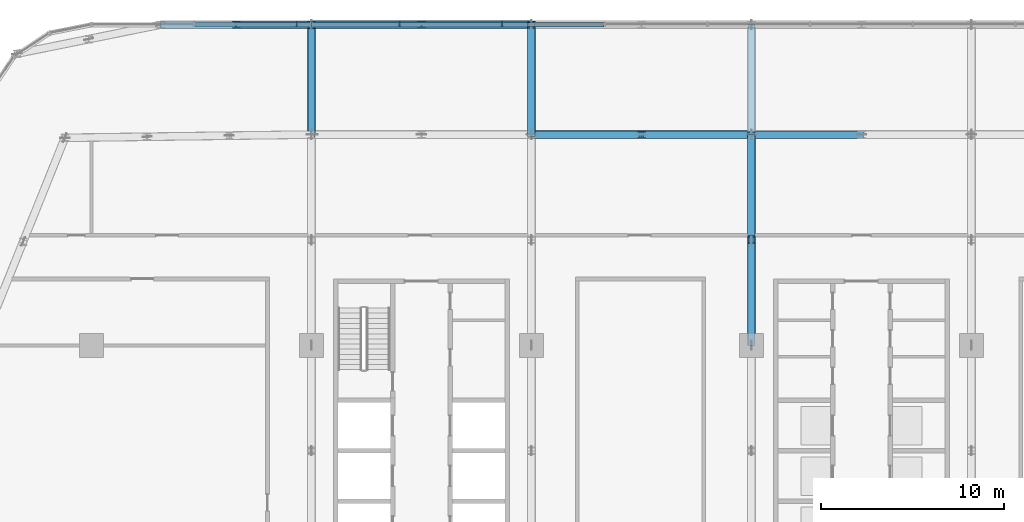
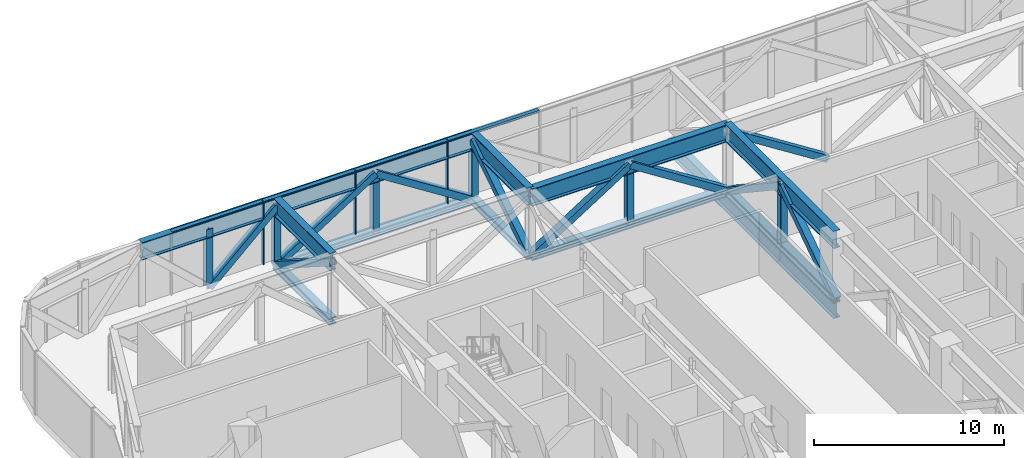
# One storey, part 8 of 30: 34 members, 2 beams, 1 element without a shape of its own.
"""IFC4 building model written with IfcOpenShell, lengths in metres."""

from ifc_helpers import new_model, si_unit, direction, frame, origin, origin_2d, place, context, subcontext, project, spatial, rectangle, hollow_rectangle, i_section, extrude, material, material_profile, profile_set, type_object, element, aggregate, save


model = new_model("IFC4")

# Units and contexts
model_context = context("Model", 3, precision=1e-05, world=origin(), true_north=direction((0.0, 1.0)))
body_context = subcontext(model_context, "Body", "Model", "MODEL_VIEW")
ifc_project = project(units=[si_unit("LENGTHUNIT", "METRE"), si_unit("AREAUNIT", "SQUARE_METRE"), si_unit("VOLUMEUNIT", "CUBIC_METRE"), si_unit("PLANEANGLEUNIT", "RADIAN"), si_unit("MASSUNIT", "GRAM", prefix="KILO")], contexts=[model_context])

# Site, building, storey
site_placement = place(None, origin())
site = spatial("IfcSite", under=ifc_project, at=site_placement, CompositionType="ELEMENT")
building_placement = place(site_placement, origin())
building = spatial("IfcBuilding", under=site, at=building_placement, Name="Mahtab Terrace Research Tower", CompositionType="ELEMENT")
storey_placement = place(building_placement, frame((0.0, 0.0, 154.800048828125)))
storey = spatial("IfcBuildingStorey", under=building, at=storey_placement, Name="L36", CompositionType="ELEMENT", Elevation=154.800048828125)

# Members
ifc_material_1 = material(Name="Steel ASTM A500 Gr C", Category="steel")
ifc_material_profile_1 = material_profile(ifc_material_1, hollow_rectangle(XDim=0.406494140625, YDim=0.406494140625, WallThickness=0.015869140625, at=origin_2d()), Name="HSS16X16X5/8")
ifc_profile_set_1 = profile_set([ifc_material_profile_1], Name="Steel ASTM A500 Gr C")
member_type_1 = type_object("IfcMemberType", Name="HSS 16x16x5/8 brace TD161658", PredefinedType="BRACE", material=ifc_profile_set_1)
member_1_placement = place(storey_placement, frame((-34.114990234375, 29.0, -0.317626953125), z_axis=(0.732990169722, 0.0, 0.680239230779), x_axis=(0.0, 1.0, 0.0)))
element("IfcMember", 1, at=member_1_placement, inside=storey, type_object=member_type_1, Name="Transfer truss T4 diagonal 021", PredefinedType="BRACE", context=body_context, shape_type="SweptSolid", body=[
    extrude(hollow_rectangle(XDim=0.406494140625, YDim=0.406494140625, WallThickness=0.015869140625, at=origin_2d()), origin(), (0.0, 0.0, 1.0), 5.614013671875),
])
for number, where, z_axis, x_axis, name in (
    (2, (-30.0, 29.0, -0.317626953125), (0.0, -0.843619081223, 0.536942125183), (1.0, 0.0, 0.0), "Transfer truss T4 diagonal 032"),
    (3, (-30.0, 29.0, -0.317626953125), (0.843619081223, 0.0, 0.536942125183), (0.0, 1.0, 0.0), "Transfer truss T4 diagonal 033"),
    (4, (-18.0, 29.0, -0.317626953125), (-0.843619081223, 0.0, 0.536942125183), (0.0, -1.0, 0.0), "Transfer truss T4 diagonal 036"),
    (5, (-18.0, 23.0, -0.317626953125), (0.0, 0.843619081223, 0.536942125183), (-1.0, 0.0, 0.0), "Transfer truss T4 diagonal 047"),
    (6, (-18.0, 23.0, -0.317626953125), (0.843619081223, 0.0, 0.536942125183), (0.0, 1.0, 0.0), "Transfer truss T4 diagonal 050"),
):
    element("IfcMember", number, at=place(storey_placement, frame(where, z_axis=z_axis, x_axis=x_axis)), inside=storey, type_object=member_type_1, Name=name, PredefinedType="BRACE", context=body_context, shape_type="SweptSolid", body=[
        extrude(hollow_rectangle(XDim=0.406494140625, YDim=0.406494140625, WallThickness=0.015869140625, at=origin_2d()), origin(), (0.0, 0.0, 1.0), 7.1123046875),
    ])
for number, where, z_axis, x_axis, name in (
    (7, (-6.0, 11.5, -0.317626953125), (0.0, 0.833017600398, 0.553246488852), (-1.0, 0.0, 0.0), "Transfer truss T4 diagonal 059"),
    (8, (-6.0, 23.0, -0.317626953125), (0.0, -0.833017600398, 0.553246488852), (1.0, 0.0, 0.0), "Transfer truss T4 diagonal 060"),
):
    element("IfcMember", number, at=place(storey_placement, frame(where, z_axis=z_axis, x_axis=x_axis)), inside=storey, type_object=member_type_1, Name=name, PredefinedType="BRACE", context=body_context, shape_type="SweptSolid", body=[
        extrude(hollow_rectangle(XDim=0.406494140625, YDim=0.406494140625, WallThickness=0.015869140625, at=origin_2d()), origin(), (0.0, 0.0, 1.0), 6.902587890625),
    ])
for number, where, z_axis, x_axis, name in (
    (9, (-6.0, 23.0, -0.317626953125), (-0.843619081223, 0.0, 0.536942125183), (0.0, -1.0, 0.0), "Transfer truss T4 diagonal 061"),
    (10, (0.0, 23.0, -0.317626953125), (-0.843619081223, 0.0, 0.536942125183), (0.0, -1.0, 0.0), "Transfer truss T4 diagonal 065"),
):
    element("IfcMember", number, at=place(storey_placement, frame(where, z_axis=z_axis, x_axis=x_axis)), inside=storey, type_object=member_type_1, Name=name, PredefinedType="BRACE", context=body_context, shape_type="SweptSolid", body=[
        extrude(hollow_rectangle(XDim=0.406494140625, YDim=0.406494140625, WallThickness=0.015869140625, at=origin_2d()), origin(), (0.0, 0.0, 1.0), 7.1123046875),
    ])

# Curtain wall, members
ifc_material_2 = material(Name="Sky lounge full-height curtain wall")
curtain_wall_type = type_object("IfcCurtainWallType", Name="Sky lounge full-height curtain wall", PredefinedType="NOTDEFINED", material=ifc_material_2)
curtain_wall_placement = place(storey_placement, origin())
curtain_wall = element("IfcCurtainWall", 11, at=curtain_wall_placement, inside=storey, type_object=curtain_wall_type, Name="EN.L36.5.0", PredefinedType="NOTDEFINED")
ifc_material_3 = material(Name="Natural anodised aluminium", Category="aluminium")
ifc_material_profile_2 = material_profile(ifc_material_3, rectangle(XDim=0.25, YDim=0.070068359375, at=origin_2d()), Name="MULLION 70x250")
ifc_profile_set_2 = profile_set([ifc_material_profile_2], Name="Natural anodised aluminium")
member_type_2 = type_object("IfcMemberType", Name="Sky lounge full-height curtain wall mullion", PredefinedType="MULLION", material=ifc_profile_set_2)
member_2_placement = place(storey_placement, frame((-19.60009765625, 29.0, 0.0), z_axis=(0.0, 0.0, 1.0), x_axis=(0.0, -1.0, 0.0)))
member_2 = element("IfcMember", 12, at=member_2_placement, type_object=member_type_2, Name="CWS-T4 mullion 12", PredefinedType="MULLION", context=body_context, shape_type="SweptSolid", body=[
    extrude(rectangle(XDim=0.25, YDim=0.070068359375, at=origin_2d()), origin(), (0.0, 0.0, 1.0), 4.06005859375),
])
member_3_placement = place(storey_placement, frame((-25.199951171875, 29.0, 0.0), z_axis=(0.0, 0.0, 1.0), x_axis=(0.0, -1.0, 0.0)))
member_3 = element("IfcMember", 13, at=member_3_placement, type_object=member_type_2, Name="CWS-T4 mullion 13", PredefinedType="MULLION", context=body_context, shape_type="SweptSolid", body=[
    extrude(rectangle(XDim=0.25, YDim=0.070068359375, at=origin_2d()), origin(), (0.0, 0.0, 1.0), 4.06005859375),
])
member_4_placement = place(storey_placement, frame((-30.800048828125, 29.0, 0.0), z_axis=(0.0, 0.0, 1.0), x_axis=(0.0, -1.0, 0.0)))
member_4 = element("IfcMember", 14, at=member_4_placement, type_object=member_type_2, Name="CWS-T4 mullion 14", PredefinedType="MULLION", context=body_context, shape_type="SweptSolid", body=[
    extrude(rectangle(XDim=0.25, YDim=0.070068359375, at=origin_2d()), origin(), (0.0, 0.0, 1.0), 4.06005859375),
])
ifc_material_profile_3 = material_profile(ifc_material_3, rectangle(XDim=0.25, YDim=0.1201171875, at=origin_2d()), Name="TRANSOM 120x250")
ifc_profile_set_3 = profile_set([ifc_material_profile_3], Name="Natural anodised aluminium")
member_type_3 = type_object("IfcMemberType", Name="Sky lounge full-height curtain wall transom", PredefinedType="USERDEFINED", material=ifc_profile_set_3)
member_5_placement = place(storey_placement, frame((-14.034912109375, 29.0, 4.0), z_axis=(-1.0, 0.0, 0.0), x_axis=(0.0, -1.0, 0.0)))
member_5 = element("IfcMember", 15, at=member_5_placement, type_object=member_type_3, Name="CWS-T4 transom 11", ObjectType="TRANSOM", PredefinedType="USERDEFINED", context=body_context, shape_type="SweptSolid", body=[
    extrude(rectangle(XDim=0.25, YDim=0.1201171875, at=origin_2d()), origin(), (0.0, 0.0, 1.0), 5.530029296875),
])
member_6_placement = place(storey_placement, frame((-19.635009765625, 29.0, 4.0), z_axis=(-1.0, 0.0, 0.0), x_axis=(0.0, -1.0, 0.0)))
member_6 = element("IfcMember", 16, at=member_6_placement, type_object=member_type_3, Name="CWS-T4 transom 12", ObjectType="TRANSOM", PredefinedType="USERDEFINED", context=body_context, shape_type="SweptSolid", body=[
    extrude(rectangle(XDim=0.25, YDim=0.1201171875, at=origin_2d()), origin(), (0.0, 0.0, 1.0), 5.530029296875),
])
member_7_placement = place(storey_placement, frame((-25.235107421875, 29.0, 4.0), z_axis=(-1.0, 0.0, 0.0), x_axis=(0.0, -1.0, 0.0)))
member_7 = element("IfcMember", 17, at=member_7_placement, type_object=member_type_3, Name="CWS-T4 transom 13", ObjectType="TRANSOM", PredefinedType="USERDEFINED", context=body_context, shape_type="SweptSolid", body=[
    extrude(rectangle(XDim=0.25, YDim=0.1201171875, at=origin_2d()), origin(), (0.0, 0.0, 1.0), 5.52978515625),
])
member_8_placement = place(storey_placement, frame((-30.8349609375, 29.0, 4.0), z_axis=(-1.0, 0.0, 0.0), x_axis=(0.0, -1.0, 0.0)))
member_8 = element("IfcMember", 18, at=member_8_placement, type_object=member_type_3, Name="CWS-T4 transom 14", ObjectType="TRANSOM", PredefinedType="USERDEFINED", context=body_context, shape_type="SweptSolid", body=[
    extrude(rectangle(XDim=0.25, YDim=0.1201171875, at=origin_2d()), origin(), (0.0, 0.0, 1.0), 5.530029296875),
])
aggregate(curtain_wall, [member_2, member_3, member_4, member_5, member_6, member_7, member_8])

# Members
ifc_material_4 = material(Name="Steel ASTM A992 Gr 50", Category="steel")
ifc_material_profile_4 = material_profile(ifc_material_4, i_section(OverallWidth=0.396240234375, OverallDepth=0.381103515625, WebThickness=0.018798828125, FlangeThickness=0.0302734375, at=origin_2d()), Name="W14X159")
ifc_profile_set_4 = profile_set([ifc_material_profile_4], Name="Steel ASTM A992 Gr 50")
member_type_4 = type_object("IfcMemberType", Name="W14x159 post TP14159", PredefinedType="POST", material=ifc_profile_set_4)
for number, where, z_axis, x_axis, name in (
    (19, (-34.1201171875, 29.0, -0.317626953125), (0.0, 0.0, 1.0), (1.0, 0.0, 0.0), "Transfer truss T4 post 021"),
    (20, (-30.0, 29.0, -0.317626953125), (0.0, 0.0, 1.0), (1.0, 0.0, 0.0), "Transfer truss T4 post 031"),
    (21, (-24.0, 29.0, -0.317626953125), (0.0, 0.0, 1.0), (1.0, 0.0, 0.0), "Transfer truss T4 post 034"),
    (22, (-18.0, 29.0, -0.317626953125), (0.0, 0.0, 1.0), (1.0, 0.0, 0.0), "Transfer truss T4 post 044"),
    (23, (-12.0, 23.0, -0.317626953125), (0.0, 0.0, 1.0), (1.0, 0.0, 0.0), "Transfer truss T4 post 046"),
    (24, (-6.0, 17.25, -0.317626953125), (0.0, 0.0, 1.0), (1.0, 0.0, 0.0), "Transfer truss T4 post 055"),
):
    element("IfcMember", number, at=place(storey_placement, frame(where, z_axis=z_axis, x_axis=x_axis)), inside=storey, type_object=member_type_4, Name=name, PredefinedType="POST", context=body_context, shape_type="SweptSolid", body=[
        extrude(i_section(OverallWidth=0.396240234375, OverallDepth=0.381103515625, WebThickness=0.018798828125, FlangeThickness=0.0302734375, at=origin_2d()), origin(), (0.0, 0.0, 1.0), 3.81884765625),
    ])
ifc_material_profile_5 = material_profile(ifc_material_4, i_section(OverallWidth=0.421630859375, OverallDepth=0.46484375, WebThickness=0.044921875, FlangeThickness=0.072509765625, at=origin_2d()), Name="W14X398")
ifc_profile_set_5 = profile_set([ifc_material_profile_5], Name="Steel ASTM A992 Gr 50")
member_type_5 = type_object("IfcMemberType", Name="W14x398 chord TC14398", PredefinedType="CHORD", material=ifc_profile_set_5)
for number, where, z_axis, x_axis, name in (
    (25, (-6.0, 23.0, -0.317626953125), (-1.0, 0.0, 0.0), (0.0, -1.0, 0.0), "Transfer truss T4 bottom chord 012"),
    (26, (-30.0, 29.0, -0.317626953125), (1.0, 0.0, 0.0), (0.0, 1.0, 0.0), "Transfer truss T4 bottom chord 027"),
):
    element("IfcMember", number, at=place(storey_placement, frame(where, z_axis=z_axis, x_axis=x_axis)), inside=storey, type_object=member_type_5, Name=name, PredefinedType="CHORD", context=body_context, shape_type="SweptSolid", body=[
        extrude(i_section(OverallWidth=0.421630859375, OverallDepth=0.46484375, WebThickness=0.044921875, FlangeThickness=0.072509765625, at=origin_2d()), origin(), (0.0, 0.0, 1.0), 12.0),
    ])
for number, where, z_axis, x_axis, name in (
    (27, (-30.0, 23.0, -0.317626953125), (0.0, 1.0, 0.0), (-1.0, 0.0, 0.0), "Transfer truss T4 bottom chord 038"),
    (28, (-18.0, 23.0, -0.317626953125), (0.0, 1.0, 0.0), (-1.0, 0.0, 0.0), "Transfer truss T4 bottom chord 044"),
):
    element("IfcMember", number, at=place(storey_placement, frame(where, z_axis=z_axis, x_axis=x_axis)), inside=storey, type_object=member_type_5, Name=name, PredefinedType="CHORD", context=body_context, shape_type="SweptSolid", body=[
        extrude(i_section(OverallWidth=0.421630859375, OverallDepth=0.46484375, WebThickness=0.044921875, FlangeThickness=0.072509765625, at=origin_2d()), origin(), (0.0, 0.0, 1.0), 6.0),
    ])
member_9_placement = place(storey_placement, frame((-6.0, 11.5, -0.317626953125), z_axis=(0.0, 1.0, 0.0), x_axis=(-1.0, 0.0, 0.0)))
element("IfcMember", 29, at=member_9_placement, inside=storey, type_object=member_type_5, Name="Transfer truss T4 bottom chord 049", PredefinedType="CHORD", context=body_context, shape_type="SweptSolid", body=[
    extrude(i_section(OverallWidth=0.421630859375, OverallDepth=0.46484375, WebThickness=0.044921875, FlangeThickness=0.072509765625, at=origin_2d()), origin(), (0.0, 0.0, 1.0), 11.5),
])

# Beams
ifc_material_profile_6 = material_profile(ifc_material_4, i_section(OverallWidth=0.4013671875, OverallDepth=1.000732421875, WebThickness=0.01904296875, FlangeThickness=0.0361328125, at=origin_2d()), Name="W40X249")
ifc_profile_set_6 = profile_set([ifc_material_profile_6], Name="Steel ASTM A992 Gr 50")
beam_type = type_object("IfcBeamType", Name="W40x249 transfer girder TG40249", PredefinedType="BEAM", material=ifc_profile_set_6)
beam_1_placement = place(storey_placement, frame((-6.0, 11.5, -1.04833984375), z_axis=(0.0, 1.0, 0.0), x_axis=(-1.0, 0.0, 0.0)))
element("IfcBeam", 30, at=beam_1_placement, inside=storey, type_object=beam_type, Name="Transfer girder T4 14", PredefinedType="BEAM", context=body_context, shape_type="SweptSolid", body=[
    extrude(i_section(OverallWidth=0.4013671875, OverallDepth=1.000732421875, WebThickness=0.01904296875, FlangeThickness=0.0361328125, at=origin_2d()), origin(), (0.0, 0.0, 1.0), 6.0),
])
beam_2_placement = place(storey_placement, frame((-6.0, 17.5, -1.04833984375), z_axis=(0.0, 1.0, 0.0), x_axis=(-1.0, 0.0, 0.0)))
element("IfcBeam", 31, at=beam_2_placement, inside=storey, type_object=beam_type, Name="Transfer girder T4 15", PredefinedType="BEAM", context=body_context, shape_type="SweptSolid", body=[
    extrude(i_section(OverallWidth=0.4013671875, OverallDepth=1.000732421875, WebThickness=0.01904296875, FlangeThickness=0.0361328125, at=origin_2d()), origin(), (0.0, 0.0, 1.0), 11.5),
])

# Members
ifc_material_profile_7 = material_profile(ifc_material_4, i_section(OverallWidth=0.40380859375, OverallDepth=1.11767578125, WebThickness=0.026123046875, FlangeThickness=0.044921875, at=origin_2d()), Name="W44X335")
ifc_profile_set_7 = profile_set([ifc_material_profile_7], Name="Steel ASTM A992 Gr 50")
member_type_6 = type_object("IfcMemberType", Name="W44x335 chord TT44335", PredefinedType="CHORD", material=ifc_profile_set_7)
member_10_placement = place(storey_placement, frame((-6.0, 23.0, 3.501220703125), z_axis=(-1.0, 0.0, 0.0), x_axis=(0.0, -1.0, 0.0)))
element("IfcMember", 32, at=member_10_placement, inside=storey, type_object=member_type_6, Name="Transfer truss T4 top chord 011", PredefinedType="CHORD", context=body_context, shape_type="SweptSolid", body=[
    extrude(i_section(OverallWidth=0.40380859375, OverallDepth=1.11767578125, WebThickness=0.026123046875, FlangeThickness=0.044921875, at=origin_2d()), origin(), (0.0, 0.0, 1.0), 12.0),
])
member_11_placement = place(storey_placement, frame((-38.23095703125, 29.0, 3.501220703125), z_axis=(1.0, 0.0, 0.0), x_axis=(0.0, 1.0, 0.0)))
element("IfcMember", 33, at=member_11_placement, inside=storey, type_object=member_type_6, Name="Transfer truss T4 top chord 025", PredefinedType="CHORD", context=body_context, shape_type="SweptSolid", body=[
    extrude(i_section(OverallWidth=0.40380859375, OverallDepth=1.11767578125, WebThickness=0.026123046875, FlangeThickness=0.044921875, at=origin_2d()), origin(), (0.0, 0.0, 1.0), 8.23095703125),
])
member_12_placement = place(storey_placement, frame((-30.0, 29.0, 3.501220703125), z_axis=(1.0, 0.0, 0.0), x_axis=(0.0, 1.0, 0.0)))
element("IfcMember", 34, at=member_12_placement, inside=storey, type_object=member_type_6, Name="Transfer truss T4 top chord 026", PredefinedType="CHORD", context=body_context, shape_type="SweptSolid", body=[
    extrude(i_section(OverallWidth=0.40380859375, OverallDepth=1.11767578125, WebThickness=0.026123046875, FlangeThickness=0.044921875, at=origin_2d()), origin(), (0.0, 0.0, 1.0), 12.0),
])
for number, where, z_axis, x_axis, name in (
    (35, (-30.0, 23.0, 3.501220703125), (0.0, 1.0, 0.0), (-1.0, 0.0, 0.0), "Transfer truss T4 top chord 037"),
    (36, (-18.0, 23.0, 3.501220703125), (0.0, 1.0, 0.0), (-1.0, 0.0, 0.0), "Transfer truss T4 top chord 043"),
):
    element("IfcMember", number, at=place(storey_placement, frame(where, z_axis=z_axis, x_axis=x_axis)), inside=storey, type_object=member_type_6, Name=name, PredefinedType="CHORD", context=body_context, shape_type="SweptSolid", body=[
        extrude(i_section(OverallWidth=0.40380859375, OverallDepth=1.11767578125, WebThickness=0.026123046875, FlangeThickness=0.044921875, at=origin_2d()), origin(), (0.0, 0.0, 1.0), 6.0),
    ])
member_13_placement = place(storey_placement, frame((-6.0, 11.5, 3.501220703125), z_axis=(0.0, 1.0, 0.0), x_axis=(-1.0, 0.0, 0.0)))
element("IfcMember", 37, at=member_13_placement, inside=storey, type_object=member_type_6, Name="Transfer truss T4 top chord 048", PredefinedType="CHORD", context=body_context, shape_type="SweptSolid", body=[
    extrude(i_section(OverallWidth=0.40380859375, OverallDepth=1.11767578125, WebThickness=0.026123046875, FlangeThickness=0.044921875, at=origin_2d()), origin(), (0.0, 0.0, 1.0), 11.5),
])

save(model, "model.ifc")
